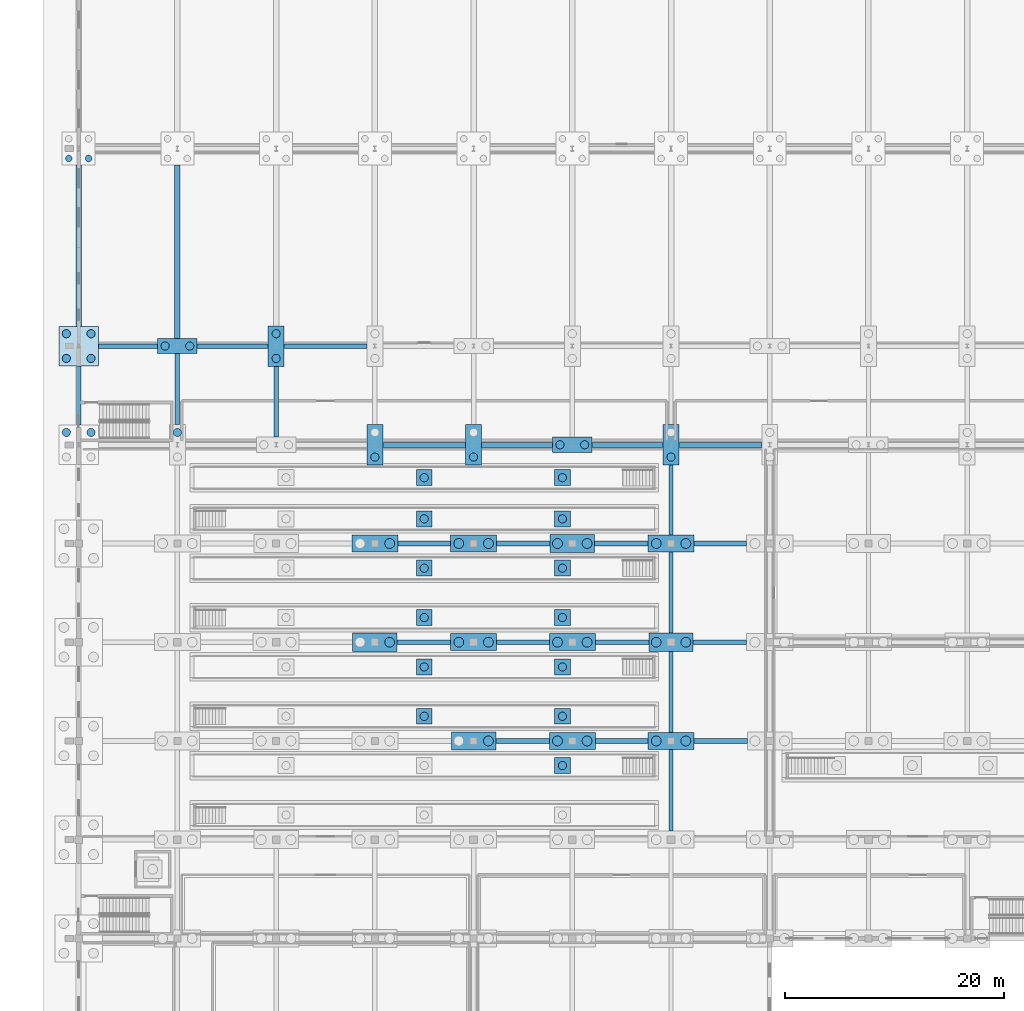
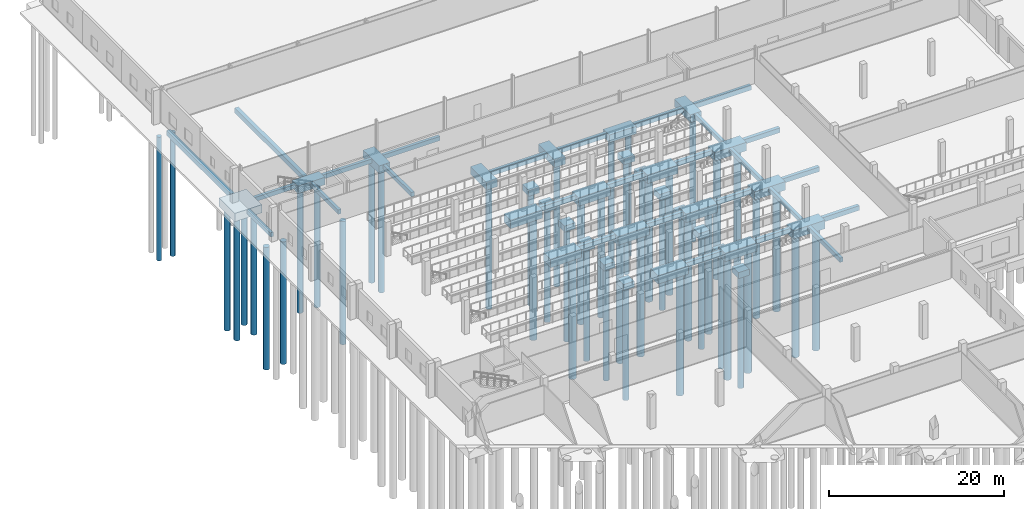
# One storey, part 7 of 112: 58 footings, 50 piles.
"""IFC4 building model written with IfcOpenShell, lengths in metres."""

from ifc_helpers import new_model, si_unit, direction, frame, origin, origin_2d, place, context, subcontext, project, spatial, polyline, rectangle, circle, outline, extrude, material, material_profile, profile_set, type_object, element, save


model = new_model("IFC4")

# Units and contexts
model_context = context("Model", 3, precision=1e-05, world=origin(), true_north=direction((0.0, 1.0)))
body_context = subcontext(model_context, "Body", "Model", "MODEL_VIEW")
ifc_project = project(units=[si_unit("LENGTHUNIT", "METRE"), si_unit("AREAUNIT", "SQUARE_METRE"), si_unit("VOLUMEUNIT", "CUBIC_METRE"), si_unit("PLANEANGLEUNIT", "RADIAN"), si_unit("MASSUNIT", "GRAM", prefix="KILO")], contexts=[model_context])

# Site, building, storey
site_placement = place(None, origin())
site = spatial("IfcSite", under=ifc_project, at=site_placement, CompositionType="ELEMENT")
building_placement = place(site_placement, origin())
building = spatial("IfcBuilding", under=site, at=building_placement, Name="Tharagai Park Tramway Depot", CompositionType="ELEMENT")
storey_placement = place(building_placement, origin())
storey = spatial("IfcBuildingStorey", under=building, at=storey_placement, Name="L00", CompositionType="ELEMENT", Elevation=0.0)

# Piles
ifc_material = material(Name="Concrete M40", Category="concrete")
ifc_material_profile_1 = material_profile(ifc_material, circle(Radius=0.449951171875, at=origin_2d()), Name="PILE D900")
ifc_profile_set_1 = profile_set([ifc_material_profile_1], Name="Concrete M40")
pile_type_1 = type_object("IfcPileType", Name="BP-01", PredefinedType="BORED", material=ifc_profile_set_1)
pile_1_placement = place(storey_placement, frame((28.35009765625, 72.0, -1.3798828125), z_axis=(0.0, 0.0, -1.0), x_axis=(1.0, 0.0, 0.0)))
element("IfcPile", 1, at=pile_1_placement, inside=storey, type_object=pile_type_1, Name="Bored Pile BP-01 (27,72) #2", PredefinedType="BORED", context=body_context, shape_type="SweptSolid", body=[
    extrude(circle(Radius=0.449951171875, at=origin_2d()), origin(), (0.0, 0.0, 1.0), 17.1201171875),
])
pile_2_placement = place(storey_placement, frame((28.35009765625, 81.0, -1.39990234375), z_axis=(0.0, 0.0, -1.0), x_axis=(1.0, 0.0, 0.0)))
element("IfcPile", 2, at=pile_2_placement, inside=storey, type_object=pile_type_1, Name="Bored Pile BP-01 (27,81) #2", PredefinedType="BORED", context=body_context, shape_type="SweptSolid", body=[
    extrude(circle(Radius=0.449951171875, at=origin_2d()), origin(), (0.0, 0.0, 1.0), 17.10009765625),
])
pile_3_placement = place(storey_placement, frame((37.35009765625, 63.0, -1.3798828125), z_axis=(0.0, 0.0, -1.0), x_axis=(1.0, 0.0, 0.0)))
element("IfcPile", 3, at=pile_3_placement, inside=storey, type_object=pile_type_1, Name="Bored Pile BP-01 (36,63) #2", PredefinedType="BORED", context=body_context, shape_type="SweptSolid", body=[
    extrude(circle(Radius=0.449951171875, at=origin_2d()), origin(), (0.0, 0.0, 1.0), 17.1201171875),
])
for number, where, z_axis, x_axis, name in (
    (4, (34.64990234375, 72.0, -1.39990234375), (0.0, 0.0, -1.0), (1.0, 0.0, 0.0), "Bored Pile BP-01 (36,72) #1"),
    (5, (37.35009765625, 72.0, -1.39990234375), (0.0, 0.0, -1.0), (1.0, 0.0, 0.0), "Bored Pile BP-01 (36,72) #2"),
    (6, (34.64990234375, 81.0, -1.39990234375), (0.0, 0.0, -1.0), (1.0, 0.0, 0.0), "Bored Pile BP-01 (36,81) #1"),
    (7, (37.35009765625, 81.0, -1.39990234375), (0.0, 0.0, -1.0), (1.0, 0.0, 0.0), "Bored Pile BP-01 (36,81) #2"),
    (8, (43.64990234375, 63.0, -1.39990234375), (0.0, 0.0, -1.0), (1.0, 0.0, 0.0), "Bored Pile BP-01 (45,63) #1"),
    (9, (46.35009765625, 63.0, -1.39990234375), (0.0, 0.0, -1.0), (1.0, 0.0, 0.0), "Bored Pile BP-01 (45,63) #2"),
    (10, (43.64990234375, 72.0, -1.39990234375), (0.0, 0.0, -1.0), (1.0, 0.0, 0.0), "Bored Pile BP-01 (45,72) #1"),
    (11, (46.35009765625, 72.0, -1.39990234375), (0.0, 0.0, -1.0), (1.0, 0.0, 0.0), "Bored Pile BP-01 (45,72) #2"),
):
    element("IfcPile", number, at=place(storey_placement, frame(where, z_axis=z_axis, x_axis=x_axis)), inside=storey, type_object=pile_type_1, Name=name, PredefinedType="BORED", context=body_context, shape_type="SweptSolid", body=[
        extrude(circle(Radius=0.449951171875, at=origin_2d()), origin(), (0.0, 0.0, 1.0), 17.10009765625),
    ])
for number, where, z_axis, x_axis, name in (
    (12, (43.64990234375, 81.0, -1.3798828125), (0.0, 0.0, -1.0), (1.0, 0.0, 0.0), "Bored Pile BP-01 (45,81) #1"),
    (13, (46.35009765625, 81.0, -1.3798828125), (0.0, 0.0, -1.0), (1.0, 0.0, 0.0), "Bored Pile BP-01 (45,81) #2"),
):
    element("IfcPile", number, at=place(storey_placement, frame(where, z_axis=z_axis, x_axis=x_axis)), inside=storey, type_object=pile_type_1, Name=name, PredefinedType="BORED", context=body_context, shape_type="SweptSolid", body=[
        extrude(circle(Radius=0.449951171875, at=origin_2d()), origin(), (0.0, 0.0, 1.0), 17.1201171875),
    ])
for number, where, z_axis, x_axis, name in (
    (14, (52.64990234375, 63.0, -1.39990234375), (0.0, 0.0, -1.0), (1.0, 0.0, 0.0), "Bored Pile BP-01 (54,63) #1"),
    (15, (55.35009765625, 63.0, -1.39990234375), (0.0, 0.0, -1.0), (1.0, 0.0, 0.0), "Bored Pile BP-01 (54,63) #2"),
):
    element("IfcPile", number, at=place(storey_placement, frame(where, z_axis=z_axis, x_axis=x_axis)), inside=storey, type_object=pile_type_1, Name=name, PredefinedType="BORED", context=body_context, shape_type="SweptSolid", body=[
        extrude(circle(Radius=0.449951171875, at=origin_2d()), origin(), (0.0, 0.0, 1.0), 17.10009765625),
    ])
for number, where, z_axis, x_axis, name in (
    (16, (52.64990234375, 72.0, -1.3798828125), (0.0, 0.0, -1.0), (1.0, 0.0, 0.0), "Bored Pile BP-01 (54,72) #1"),
    (17, (55.35009765625, 72.0, -1.3798828125), (0.0, 0.0, -1.0), (1.0, 0.0, 0.0), "Bored Pile BP-01 (54,72) #2"),
):
    element("IfcPile", number, at=place(storey_placement, frame(where, z_axis=z_axis, x_axis=x_axis)), inside=storey, type_object=pile_type_1, Name=name, PredefinedType="BORED", context=body_context, shape_type="SweptSolid", body=[
        extrude(circle(Radius=0.449951171875, at=origin_2d()), origin(), (0.0, 0.0, 1.0), 17.1201171875),
    ])
for number, where, z_axis, x_axis, name in (
    (18, (52.64990234375, 81.0, -1.39990234375), (0.0, 0.0, -1.0), (1.0, 0.0, 0.0), "Bored Pile BP-01 (54,81) #1"),
    (19, (55.35009765625, 81.0, -1.39990234375), (0.0, 0.0, -1.0), (1.0, 0.0, 0.0), "Bored Pile BP-01 (54,81) #2"),
):
    element("IfcPile", number, at=place(storey_placement, frame(where, z_axis=z_axis, x_axis=x_axis)), inside=storey, type_object=pile_type_1, Name=name, PredefinedType="BORED", context=body_context, shape_type="SweptSolid", body=[
        extrude(circle(Radius=0.449951171875, at=origin_2d()), origin(), (0.0, 0.0, 1.0), 17.10009765625),
    ])
ifc_material_profile_2 = material_profile(ifc_material, circle(Radius=0.375, at=origin_2d()), Name="PILE D750")
ifc_profile_set_2 = profile_set([ifc_material_profile_2], Name="Concrete M40")
pile_type_2 = type_object("IfcPileType", Name="BP-02", PredefinedType="BORED", material=ifc_profile_set_2)
for number, where, z_axis, x_axis, name in (
    (20, (-1.125, 91.125, -1.35009765625), (0.0, 0.0, -1.0), (1.0, 0.0, 0.0), "Bored Pile BP-02 (0,90) #3"),
    (21, (1.125, 91.125, -1.35009765625), (0.0, 0.0, -1.0), (1.0, 0.0, 0.0), "Bored Pile BP-02 (0,90) #4"),
    (22, (-1.125, 97.875, -1.35009765625), (0.0, 0.0, -1.0), (1.0, 0.0, 0.0), "Bored Pile BP-02 (0,99) #1"),
    (23, (1.125, 97.875, -1.35009765625), (0.0, 0.0, -1.0), (1.0, 0.0, 0.0), "Bored Pile BP-02 (0,99) #2"),
    (24, (-1.125, 100.125, -1.35009765625), (0.0, 0.0, -1.0), (1.0, 0.0, 0.0), "Bored Pile BP-02 (0,99) #3"),
    (25, (1.125, 100.125, -1.35009765625), (0.0, 0.0, -1.0), (1.0, 0.0, 0.0), "Bored Pile BP-02 (0,99) #4"),
):
    element("IfcPile", number, at=place(storey_placement, frame(where, z_axis=z_axis, x_axis=x_axis)), inside=storey, type_object=pile_type_2, Name=name, PredefinedType="BORED", context=body_context, shape_type="SweptSolid", body=[
        extrude(circle(Radius=0.375, at=origin_2d()), origin(), (0.0, 0.0, 1.0), 17.14990234375),
    ])
pile_4_placement = place(storey_placement, frame((9.0, 91.125, -1.280029296875), z_axis=(0.0, 0.0, -1.0), x_axis=(1.0, 0.0, 0.0)))
element("IfcPile", 26, at=pile_4_placement, inside=storey, type_object=pile_type_2, Name="Bored Pile BP-02 (9,90) #2", PredefinedType="BORED", context=body_context, shape_type="SweptSolid", body=[
    extrude(circle(Radius=0.375, at=origin_2d()), origin(), (0.0, 0.0, 1.0), 17.219970703125),
])
for number, where, z_axis, x_axis, name in (
    (27, (7.875, 99.0, -1.25), (0.0, 0.0, -1.0), (1.0, 0.0, 0.0), "Bored Pile BP-02 (9,99) #1"),
    (28, (10.125, 99.0, -1.25), (0.0, 0.0, -1.0), (1.0, 0.0, 0.0), "Bored Pile BP-02 (9,99) #2"),
):
    element("IfcPile", number, at=place(storey_placement, frame(where, z_axis=z_axis, x_axis=x_axis)), inside=storey, type_object=pile_type_2, Name=name, PredefinedType="BORED", context=body_context, shape_type="SweptSolid", body=[
        extrude(circle(Radius=0.375, at=origin_2d()), origin(), (0.0, 0.0, 1.0), 17.25),
    ])
for number, where, z_axis, x_axis, name in (
    (29, (18.0, 97.875, -1.280029296875), (0.0, 0.0, -1.0), (1.0, 0.0, 0.0), "Bored Pile BP-02 (18,99) #1"),
    (30, (18.0, 100.125, -1.280029296875), (0.0, 0.0, -1.0), (1.0, 0.0, 0.0), "Bored Pile BP-02 (18,99) #2"),
    (31, (27.0, 88.875, -1.280029296875), (0.0, 0.0, -1.0), (1.0, 0.0, 0.0), "Bored Pile BP-02 (27,90) #1"),
    (32, (36.0, 88.875, -1.280029296875), (0.0, 0.0, -1.0), (1.0, 0.0, 0.0), "Bored Pile BP-02 (36,90) #1"),
):
    element("IfcPile", number, at=place(storey_placement, frame(where, z_axis=z_axis, x_axis=x_axis)), inside=storey, type_object=pile_type_2, Name=name, PredefinedType="BORED", context=body_context, shape_type="SweptSolid", body=[
        extrude(circle(Radius=0.375, at=origin_2d()), origin(), (0.0, 0.0, 1.0), 17.219970703125),
    ])
for number, where, z_axis, x_axis, name in (
    (33, (43.875, 90.0, -1.25), (0.0, 0.0, -1.0), (1.0, 0.0, 0.0), "Bored Pile BP-02 (45,90) #1"),
    (34, (46.125, 90.0, -1.25), (0.0, 0.0, -1.0), (1.0, 0.0, 0.0), "Bored Pile BP-02 (45,90) #2"),
):
    element("IfcPile", number, at=place(storey_placement, frame(where, z_axis=z_axis, x_axis=x_axis)), inside=storey, type_object=pile_type_2, Name=name, PredefinedType="BORED", context=body_context, shape_type="SweptSolid", body=[
        extrude(circle(Radius=0.375, at=origin_2d()), origin(), (0.0, 0.0, 1.0), 17.25),
    ])
pile_5_placement = place(storey_placement, frame((54.0, 88.875, -1.280029296875), z_axis=(0.0, 0.0, -1.0), x_axis=(1.0, 0.0, 0.0)))
element("IfcPile", 35, at=pile_5_placement, inside=storey, type_object=pile_type_2, Name="Bored Pile BP-02 (54,90) #1", PredefinedType="BORED", context=body_context, shape_type="SweptSolid", body=[
    extrude(circle(Radius=0.375, at=origin_2d()), origin(), (0.0, 0.0, 1.0), 17.219970703125),
])
for number, where, z_axis, x_axis, name in (
    (36, (44.10009765625, 60.75, -2.60009765625), (0.0, 0.0, -1.0), (1.0, 0.0, 0.0), "Inspection Pit Track 2 Bored Pile 3"),
    (37, (31.5, 65.25, -2.60009765625), (0.0, 0.0, -1.0), (1.0, 0.0, 0.0), "Inspection Pit Track 3 Bored Pile 2"),
    (38, (44.10009765625, 65.25, -2.60009765625), (0.0, 0.0, -1.0), (1.0, 0.0, 0.0), "Inspection Pit Track 3 Bored Pile 3"),
    (39, (31.5, 69.75, -2.60009765625), (0.0, 0.0, -1.0), (1.0, 0.0, 0.0), "Inspection Pit Track 4 Bored Pile 2"),
    (40, (44.10009765625, 69.75, -2.60009765625), (0.0, 0.0, -1.0), (1.0, 0.0, 0.0), "Inspection Pit Track 4 Bored Pile 3"),
    (41, (31.5, 74.25, -2.60009765625), (0.0, 0.0, -1.0), (1.0, 0.0, 0.0), "Inspection Pit Track 5 Bored Pile 2"),
    (42, (44.10009765625, 74.25, -2.60009765625), (0.0, 0.0, -1.0), (1.0, 0.0, 0.0), "Inspection Pit Track 5 Bored Pile 3"),
    (43, (31.5, 78.75, -2.60009765625), (0.0, 0.0, -1.0), (1.0, 0.0, 0.0), "Inspection Pit Track 6 Bored Pile 2"),
    (44, (44.10009765625, 78.75, -2.60009765625), (0.0, 0.0, -1.0), (1.0, 0.0, 0.0), "Inspection Pit Track 6 Bored Pile 3"),
    (45, (31.5, 83.25, -2.60009765625), (0.0, 0.0, -1.0), (1.0, 0.0, 0.0), "Inspection Pit Track 7 Bored Pile 2"),
    (46, (44.10009765625, 83.25, -2.60009765625), (0.0, 0.0, -1.0), (1.0, 0.0, 0.0), "Inspection Pit Track 7 Bored Pile 3"),
    (47, (31.5, 87.0, -2.60009765625), (0.0, 0.0, -1.0), (1.0, 0.0, 0.0), "Inspection Pit Track 8 Bored Pile 2"),
    (48, (44.10009765625, 87.0, -2.60009765625), (0.0, 0.0, -1.0), (1.0, 0.0, 0.0), "Inspection Pit Track 8 Bored Pile 3"),
):
    element("IfcPile", number, at=place(storey_placement, frame(where, z_axis=z_axis, x_axis=x_axis)), inside=storey, type_object=pile_type_2, Name=name, PredefinedType="BORED", context=body_context, shape_type="SweptSolid", body=[
        extrude(circle(Radius=0.375, at=origin_2d()), origin(), (0.0, 0.0, 1.0), 15.89990234375),
    ])
ifc_material_profile_3 = material_profile(ifc_material, circle(Radius=0.300048828125, at=origin_2d()), Name="PILE D600")
ifc_profile_set_3 = profile_set([ifc_material_profile_3], Name="Concrete M40")
pile_type_3 = type_object("IfcPileType", Name="BP-03", PredefinedType="BORED", material=ifc_profile_set_3)
for number, where, z_axis, x_axis, name in (
    (49, (-0.89990234375, 116.10009765625, -1.199951171875), (0.0, 0.0, -1.0), (1.0, 0.0, 0.0), "Bored Pile BP-03 (0,117) #1"),
    (50, (0.89990234375, 116.10009765625, -1.199951171875), (0.0, 0.0, -1.0), (1.0, 0.0, 0.0), "Bored Pile BP-03 (0,117) #2"),
):
    element("IfcPile", number, at=place(storey_placement, frame(where, z_axis=z_axis, x_axis=x_axis)), inside=storey, type_object=pile_type_3, Name=name, PredefinedType="BORED", context=body_context, shape_type="SweptSolid", body=[
        extrude(circle(Radius=0.300048828125, at=origin_2d()), origin(), (0.0, 0.0, 1.0), 17.300048828125),
    ])

# Footings
footing_type_1 = type_object("IfcFootingType", Name="GB-01", PredefinedType="FOOTING_BEAM", material=ifc_material)
footing_1_placement = place(storey_placement, frame((0.0, 0.0, -0.949951171875)))
element("IfcFooting", 51, at=footing_1_placement, inside=storey, type_object=footing_type_1, Name="Ground Tie Beam GB-01", PredefinedType="FOOTING_BEAM", context=body_context, shape_type="SweptSolid", body=[
    extrude(outline(polyline([(38.02490234375, 62.77490234375), (42.89990234375, 62.77490234375), (42.89990234375, 63.22509765625), (38.02490234375, 63.22509765625), (38.02490234375, 62.77490234375)])), origin(), (0.0, 0.0, 1.0), 0.64990234375),
])
footing_2_placement = place(storey_placement, frame((0.0, 0.0, -0.949951171875)))
element("IfcFooting", 52, at=footing_2_placement, inside=storey, type_object=footing_type_1, Name="Ground Tie Beam GB-01", PredefinedType="FOOTING_BEAM", context=body_context, shape_type="SweptSolid", body=[
    extrude(outline(polyline([(47.10009765625, 62.77490234375), (51.89990234375, 62.77490234375), (51.89990234375, 63.22509765625), (47.10009765625, 63.22509765625), (47.10009765625, 62.77490234375)])), origin(), (0.0, 0.0, 1.0), 0.64990234375),
])
footing_3_placement = place(storey_placement, frame((0.0, 0.0, -0.949951171875)))
element("IfcFooting", 53, at=footing_3_placement, inside=storey, type_object=footing_type_1, Name="Ground Tie Beam GB-01", PredefinedType="FOOTING_BEAM", context=body_context, shape_type="SweptSolid", body=[
    extrude(outline(polyline([(56.10009765625, 62.77490234375), (60.97509765625, 62.77490234375), (60.97509765625, 63.22509765625), (56.10009765625, 63.22509765625), (56.10009765625, 62.77490234375)])), origin(), (0.0, 0.0, 1.0), 0.64990234375),
])
footing_4_placement = place(storey_placement, frame((0.0, 0.0, -0.949951171875)))
element("IfcFooting", 54, at=footing_4_placement, inside=storey, type_object=footing_type_1, Name="Ground Tie Beam GB-01", PredefinedType="FOOTING_BEAM", context=body_context, shape_type="SweptSolid", body=[
    extrude(outline(polyline([(29.02490234375, 71.77490234375), (33.89990234375, 71.77490234375), (33.89990234375, 72.22509765625), (29.02490234375, 72.22509765625), (29.02490234375, 71.77490234375)])), origin(), (0.0, 0.0, 1.0), 0.64990234375),
])
footing_5_placement = place(storey_placement, frame((0.0, 0.0, -0.949951171875)))
element("IfcFooting", 55, at=footing_5_placement, inside=storey, type_object=footing_type_1, Name="Ground Tie Beam GB-01", PredefinedType="FOOTING_BEAM", context=body_context, shape_type="SweptSolid", body=[
    extrude(outline(polyline([(38.10009765625, 71.77490234375), (42.89990234375, 71.77490234375), (42.89990234375, 72.22509765625), (38.10009765625, 72.22509765625), (38.10009765625, 71.77490234375)])), origin(), (0.0, 0.0, 1.0), 0.64990234375),
])
footing_6_placement = place(storey_placement, frame((0.0, 0.0, -0.949951171875)))
element("IfcFooting", 56, at=footing_6_placement, inside=storey, type_object=footing_type_1, Name="Ground Tie Beam GB-01", PredefinedType="FOOTING_BEAM", context=body_context, shape_type="SweptSolid", body=[
    extrude(outline(polyline([(47.10009765625, 71.77490234375), (51.97509765625, 71.77490234375), (51.97509765625, 72.22509765625), (47.10009765625, 72.22509765625), (47.10009765625, 71.77490234375)])), origin(), (0.0, 0.0, 1.0), 0.64990234375),
])
footing_7_placement = place(storey_placement, frame((0.0, 0.0, -0.949951171875)))
element("IfcFooting", 57, at=footing_7_placement, inside=storey, type_object=footing_type_1, Name="Ground Tie Beam GB-01", PredefinedType="FOOTING_BEAM", context=body_context, shape_type="SweptSolid", body=[
    extrude(outline(polyline([(56.02490234375, 71.77490234375), (60.89990234375, 71.77490234375), (60.89990234375, 72.22509765625), (56.02490234375, 72.22509765625), (56.02490234375, 71.77490234375)])), origin(), (0.0, 0.0, 1.0), 0.64990234375),
])
footing_8_placement = place(storey_placement, frame((0.0, 0.0, -0.949951171875)))
element("IfcFooting", 58, at=footing_8_placement, inside=storey, type_object=footing_type_1, Name="Ground Tie Beam GB-01", PredefinedType="FOOTING_BEAM", context=body_context, shape_type="SweptSolid", body=[
    extrude(outline(polyline([(29.10009765625, 80.77490234375), (33.89990234375, 80.77490234375), (33.89990234375, 81.22509765625), (29.10009765625, 81.22509765625), (29.10009765625, 80.77490234375)])), origin(), (0.0, 0.0, 1.0), 0.64990234375),
])
footing_9_placement = place(storey_placement, frame((0.0, 0.0, -0.949951171875)))
element("IfcFooting", 59, at=footing_9_placement, inside=storey, type_object=footing_type_1, Name="Ground Tie Beam GB-01", PredefinedType="FOOTING_BEAM", context=body_context, shape_type="SweptSolid", body=[
    extrude(outline(polyline([(38.10009765625, 80.77490234375), (42.97509765625, 80.77490234375), (42.97509765625, 81.22509765625), (38.10009765625, 81.22509765625), (38.10009765625, 80.77490234375)])), origin(), (0.0, 0.0, 1.0), 0.64990234375),
])
footing_10_placement = place(storey_placement, frame((0.0, 0.0, -0.949951171875)))
element("IfcFooting", 60, at=footing_10_placement, inside=storey, type_object=footing_type_1, Name="Ground Tie Beam GB-01", PredefinedType="FOOTING_BEAM", context=body_context, shape_type="SweptSolid", body=[
    extrude(outline(polyline([(47.02490234375, 80.77490234375), (51.89990234375, 80.77490234375), (51.89990234375, 81.22509765625), (47.02490234375, 81.22509765625), (47.02490234375, 80.77490234375)])), origin(), (0.0, 0.0, 1.0), 0.64990234375),
])
footing_11_placement = place(storey_placement, frame((0.0, 0.0, -0.949951171875)))
element("IfcFooting", 61, at=footing_11_placement, inside=storey, type_object=footing_type_1, Name="Ground Tie Beam GB-01", PredefinedType="FOOTING_BEAM", context=body_context, shape_type="SweptSolid", body=[
    extrude(outline(polyline([(56.10009765625, 80.77490234375), (60.89990234375, 80.77490234375), (60.89990234375, 81.22509765625), (56.10009765625, 81.22509765625), (56.10009765625, 80.77490234375)])), origin(), (0.0, 0.0, 1.0), 0.64990234375),
])
footing_12_placement = place(storey_placement, frame((0.0, 0.0, -0.949951171875)))
element("IfcFooting", 62, at=footing_12_placement, inside=storey, type_object=footing_type_1, Name="Ground Tie Beam GB-01", PredefinedType="FOOTING_BEAM", context=body_context, shape_type="SweptSolid", body=[
    extrude(outline(polyline([(27.72509765625, 89.77490234375), (35.27490234375, 89.77490234375), (35.27490234375, 90.22509765625), (27.72509765625, 90.22509765625), (27.72509765625, 89.77490234375)])), origin(), (0.0, 0.0, 1.0), 0.64990234375),
])
footing_13_placement = place(storey_placement, frame((0.0, 0.0, -0.949951171875)))
element("IfcFooting", 63, at=footing_13_placement, inside=storey, type_object=footing_type_1, Name="Ground Tie Beam GB-01", PredefinedType="FOOTING_BEAM", context=body_context, shape_type="SweptSolid", body=[
    extrude(outline(polyline([(36.72509765625, 89.77490234375), (43.199951171875, 89.77490234375), (43.199951171875, 90.22509765625), (36.72509765625, 90.22509765625), (36.72509765625, 89.77490234375)])), origin(), (0.0, 0.0, 1.0), 0.64990234375),
])
footing_14_placement = place(storey_placement, frame((0.0, 0.0, -0.949951171875)))
element("IfcFooting", 64, at=footing_14_placement, inside=storey, type_object=footing_type_1, Name="Ground Tie Beam GB-01", PredefinedType="FOOTING_BEAM", context=body_context, shape_type="SweptSolid", body=[
    extrude(outline(polyline([(46.800048828125, 89.77490234375), (53.27490234375, 89.77490234375), (53.27490234375, 90.22509765625), (46.800048828125, 90.22509765625), (46.800048828125, 89.77490234375)])), origin(), (0.0, 0.0, 1.0), 0.64990234375),
])
footing_15_placement = place(storey_placement, frame((0.0, 0.0, -0.949951171875)))
element("IfcFooting", 65, at=footing_15_placement, inside=storey, type_object=footing_type_1, Name="Ground Tie Beam GB-01", PredefinedType="FOOTING_BEAM", context=body_context, shape_type="SweptSolid", body=[
    extrude(outline(polyline([(54.72509765625, 89.77490234375), (62.27490234375, 89.77490234375), (62.27490234375, 90.22509765625), (54.72509765625, 90.22509765625), (54.72509765625, 89.77490234375)])), origin(), (0.0, 0.0, 1.0), 0.64990234375),
])
footing_type_2 = type_object("IfcFootingType", Name="GB-02", PredefinedType="FOOTING_BEAM", material=ifc_material)
footing_16_placement = place(storey_placement, frame((0.0, 0.0, -1.0)))
element("IfcFooting", 66, at=footing_16_placement, inside=storey, type_object=footing_type_2, Name="Ground Tie Beam GB-02", PredefinedType="FOOTING_BEAM", context=body_context, shape_type="SweptSolid", body=[
    extrude(outline(polyline([(-0.25, 100.800048828125), (0.25, 100.800048828125), (0.25, 115.5), (-0.25, 115.5), (-0.25, 100.800048828125)])), origin(), (0.0, 0.0, 1.0), 0.699951171875),
])
footing_17_placement = place(storey_placement, frame((0.0, 0.0, -1.0)))
element("IfcFooting", 67, at=footing_17_placement, inside=storey, type_object=footing_type_2, Name="Ground Tie Beam GB-02", PredefinedType="FOOTING_BEAM", context=body_context, shape_type="SweptSolid", body=[
    extrude(outline(polyline([(8.75, 99.699951171875), (9.25, 99.699951171875), (9.25, 115.5), (8.75, 115.5), (8.75, 99.699951171875)])), origin(), (0.0, 0.0, 1.0), 0.699951171875),
])
footing_type_3 = type_object("IfcFootingType", Name="GB-04", PredefinedType="FOOTING_BEAM", material=ifc_material)
footing_18_placement = place(storey_placement, frame((0.0, 0.0, -0.89990234375)))
element("IfcFooting", 68, at=footing_18_placement, inside=storey, type_object=footing_type_3, Name="Ground Tie Beam GB-04", PredefinedType="FOOTING_BEAM", context=body_context, shape_type="SweptSolid", body=[
    extrude(outline(polyline([(1.800048828125, 98.800048828125), (7.199951171875, 98.800048828125), (7.199951171875, 99.199951171875), (1.800048828125, 99.199951171875), (1.800048828125, 98.800048828125)])), origin(), (0.0, 0.0, 1.0), 0.599853515625),
])
footing_19_placement = place(storey_placement, frame((0.0, 0.0, -0.89990234375)))
element("IfcFooting", 69, at=footing_19_placement, inside=storey, type_object=footing_type_3, Name="Ground Tie Beam GB-04", PredefinedType="FOOTING_BEAM", context=body_context, shape_type="SweptSolid", body=[
    extrude(outline(polyline([(10.800048828125, 98.800048828125), (17.27490234375, 98.800048828125), (17.27490234375, 99.199951171875), (10.800048828125, 99.199951171875), (10.800048828125, 98.800048828125)])), origin(), (0.0, 0.0, 1.0), 0.599853515625),
])
footing_20_placement = place(storey_placement, frame((0.0, 0.0, -0.89990234375)))
element("IfcFooting", 70, at=footing_20_placement, inside=storey, type_object=footing_type_3, Name="Ground Tie Beam GB-04", PredefinedType="FOOTING_BEAM", context=body_context, shape_type="SweptSolid", body=[
    extrude(outline(polyline([(18.72509765625, 98.800048828125), (26.27490234375, 98.800048828125), (26.27490234375, 99.199951171875), (18.72509765625, 99.199951171875), (18.72509765625, 98.800048828125)])), origin(), (0.0, 0.0, 1.0), 0.599853515625),
])
footing_21_placement = place(storey_placement, frame((0.0, 0.0, -0.89990234375)))
element("IfcFooting", 71, at=footing_21_placement, inside=storey, type_object=footing_type_3, Name="Ground Tie Beam GB-04", PredefinedType="FOOTING_BEAM", context=body_context, shape_type="SweptSolid", body=[
    extrude(outline(polyline([(-0.199951171875, 91.800048828125), (0.199951171875, 91.800048828125), (0.199951171875, 97.199951171875), (-0.199951171875, 97.199951171875), (-0.199951171875, 91.800048828125)])), origin(), (0.0, 0.0, 1.0), 0.599853515625),
])
footing_22_placement = place(storey_placement, frame((0.0, 0.0, -0.89990234375)))
element("IfcFooting", 72, at=footing_22_placement, inside=storey, type_object=footing_type_3, Name="Ground Tie Beam GB-04", PredefinedType="FOOTING_BEAM", context=body_context, shape_type="SweptSolid", body=[
    extrude(outline(polyline([(8.800048828125, 91.85009765625), (9.199951171875, 91.85009765625), (9.199951171875, 98.300048828125), (8.800048828125, 98.300048828125), (8.800048828125, 91.85009765625)])), origin(), (0.0, 0.0, 1.0), 0.599853515625),
])
footing_23_placement = place(storey_placement, frame((0.0, 0.0, -0.89990234375)))
element("IfcFooting", 73, at=footing_23_placement, inside=storey, type_object=footing_type_3, Name="Ground Tie Beam GB-04", PredefinedType="FOOTING_BEAM", context=body_context, shape_type="SweptSolid", body=[
    extrude(outline(polyline([(17.800048828125, 90.699951171875), (18.199951171875, 90.699951171875), (18.199951171875, 97.14990234375), (17.800048828125, 97.14990234375), (17.800048828125, 90.699951171875)])), origin(), (0.0, 0.0, 1.0), 0.599853515625),
])
footing_24_placement = place(storey_placement, frame((0.0, 0.0, -0.89990234375)))
element("IfcFooting", 74, at=footing_24_placement, inside=storey, type_object=footing_type_3, Name="Ground Tie Beam GB-04", PredefinedType="FOOTING_BEAM", context=body_context, shape_type="SweptSolid", body=[
    extrude(outline(polyline([(53.800048828125, 54.77490234375), (54.199951171875, 54.77490234375), (54.199951171875, 62.22509765625), (53.800048828125, 62.22509765625), (53.800048828125, 54.77490234375)])), origin(), (0.0, 0.0, 1.0), 0.599853515625),
])
footing_25_placement = place(storey_placement, frame((0.0, 0.0, -0.89990234375)))
element("IfcFooting", 75, at=footing_25_placement, inside=storey, type_object=footing_type_3, Name="Ground Tie Beam GB-04", PredefinedType="FOOTING_BEAM", context=body_context, shape_type="SweptSolid", body=[
    extrude(outline(polyline([(53.800048828125, 63.77490234375), (54.199951171875, 63.77490234375), (54.199951171875, 71.175048828125), (53.800048828125, 71.175048828125), (53.800048828125, 63.77490234375)])), origin(), (0.0, 0.0, 1.0), 0.599853515625),
])
footing_26_placement = place(storey_placement, frame((0.0, 0.0, -0.89990234375)))
element("IfcFooting", 76, at=footing_26_placement, inside=storey, type_object=footing_type_3, Name="Ground Tie Beam GB-04", PredefinedType="FOOTING_BEAM", context=body_context, shape_type="SweptSolid", body=[
    extrude(outline(polyline([(53.800048828125, 72.824951171875), (54.199951171875, 72.824951171875), (54.199951171875, 80.22509765625), (53.800048828125, 80.22509765625), (53.800048828125, 72.824951171875)])), origin(), (0.0, 0.0, 1.0), 0.599853515625),
])
footing_27_placement = place(storey_placement, frame((0.0, 0.0, -0.89990234375)))
element("IfcFooting", 77, at=footing_27_placement, inside=storey, type_object=footing_type_3, Name="Ground Tie Beam GB-04", PredefinedType="FOOTING_BEAM", context=body_context, shape_type="SweptSolid", body=[
    extrude(outline(polyline([(53.800048828125, 81.77490234375), (54.199951171875, 81.77490234375), (54.199951171875, 88.14990234375), (53.800048828125, 88.14990234375), (53.800048828125, 81.77490234375)])), origin(), (0.0, 0.0, 1.0), 0.599853515625),
])
footing_type_4 = type_object("IfcFootingType", Name="PC-03", PredefinedType="PILE_CAP", material=ifc_material)
footing_28_placement = place(storey_placement, frame((0.0, 99.0, -1.449951171875), z_axis=(0.0, 0.0, 1.0), x_axis=(1.0, 0.0, 0.0)))
element("IfcFooting", 78, at=footing_28_placement, inside=storey, type_object=footing_type_4, Name="Pile Cap PC-03 (0,99)", PredefinedType="PILE_CAP", context=body_context, shape_type="SweptSolid", body=[
    extrude(rectangle(XDim=3.60009765625, YDim=3.60009765625, at=origin_2d()), origin(), (0.0, 0.0, 1.0), 1.14990234375),
])
footing_type_5 = type_object("IfcFootingType", Name="PC-10", PredefinedType="PILE_CAP", material=ifc_material)
for number, where, z_axis, x_axis, name in (
    (79, (44.10009765625, 60.75, -2.699951171875), (0.0, 0.0, 1.0), (1.0, 0.0, 0.0), "Inspection Pit Track 2 Pile Cap 3"),
    (80, (31.5, 65.25, -2.699951171875), (0.0, 0.0, 1.0), (1.0, 0.0, 0.0), "Inspection Pit Track 3 Pile Cap 2"),
    (81, (44.10009765625, 65.25, -2.699951171875), (0.0, 0.0, 1.0), (1.0, 0.0, 0.0), "Inspection Pit Track 3 Pile Cap 3"),
    (82, (31.5, 69.75, -2.699951171875), (0.0, 0.0, 1.0), (1.0, 0.0, 0.0), "Inspection Pit Track 4 Pile Cap 2"),
    (83, (44.10009765625, 69.75, -2.699951171875), (0.0, 0.0, 1.0), (1.0, 0.0, 0.0), "Inspection Pit Track 4 Pile Cap 3"),
    (84, (31.5, 74.25, -2.699951171875), (0.0, 0.0, 1.0), (1.0, 0.0, 0.0), "Inspection Pit Track 5 Pile Cap 2"),
    (85, (44.10009765625, 74.25, -2.699951171875), (0.0, 0.0, 1.0), (1.0, 0.0, 0.0), "Inspection Pit Track 5 Pile Cap 3"),
    (86, (31.5, 78.75, -2.699951171875), (0.0, 0.0, 1.0), (1.0, 0.0, 0.0), "Inspection Pit Track 6 Pile Cap 2"),
    (87, (44.10009765625, 78.75, -2.699951171875), (0.0, 0.0, 1.0), (1.0, 0.0, 0.0), "Inspection Pit Track 6 Pile Cap 3"),
    (88, (31.5, 83.25, -2.699951171875), (0.0, 0.0, 1.0), (1.0, 0.0, 0.0), "Inspection Pit Track 7 Pile Cap 2"),
    (89, (44.10009765625, 83.25, -2.699951171875), (0.0, 0.0, 1.0), (1.0, 0.0, 0.0), "Inspection Pit Track 7 Pile Cap 3"),
    (90, (31.5, 87.0, -2.699951171875), (0.0, 0.0, 1.0), (1.0, 0.0, 0.0), "Inspection Pit Track 8 Pile Cap 2"),
    (91, (44.10009765625, 87.0, -2.699951171875), (0.0, 0.0, 1.0), (1.0, 0.0, 0.0), "Inspection Pit Track 8 Pile Cap 3"),
):
    element("IfcFooting", number, at=place(storey_placement, frame(where, z_axis=z_axis, x_axis=x_axis)), inside=storey, type_object=footing_type_5, Name=name, PredefinedType="PILE_CAP", context=body_context, shape_type="SweptSolid", body=[
        extrude(rectangle(XDim=1.449951171875, YDim=1.449951171875, at=origin_2d()), origin(), (0.0, 0.0, 1.0), 0.85009765625),
    ])
footing_type_6 = type_object("IfcFootingType", Name="PC-11", PredefinedType="PILE_CAP", material=ifc_material)
for number, where, z_axis, x_axis, name in (
    (92, (9.0, 99.0, -1.35009765625), (0.0, 0.0, 1.0), (1.0, 0.0, 0.0), "Pile Cap PC-11 (9,99)"),
    (93, (45.0, 90.0, -1.35009765625), (0.0, 0.0, 1.0), (1.0, 0.0, 0.0), "Pile Cap PC-11 (45,90)"),
):
    element("IfcFooting", number, at=place(storey_placement, frame(where, z_axis=z_axis, x_axis=x_axis)), inside=storey, type_object=footing_type_6, Name=name, PredefinedType="PILE_CAP", context=body_context, shape_type="SweptSolid", body=[
        extrude(rectangle(XDim=3.60009765625, YDim=1.39990234375, at=origin_2d()), origin(), (0.0, 0.0, 1.0), 1.050048828125),
    ])
footing_type_7 = type_object("IfcFootingType", Name="PC-13", PredefinedType="PILE_CAP", material=ifc_material)
for number, where, z_axis, x_axis, name in (
    (94, (27.0, 72.0, -1.47998046875), (0.0, 0.0, 1.0), (1.0, 0.0, 0.0), "Pile Cap PC-13 (27,72)"),
    (95, (36.0, 63.0, -1.47998046875), (0.0, 0.0, 1.0), (1.0, 0.0, 0.0), "Pile Cap PC-13 (36,63)"),
    (96, (45.0, 81.0, -1.47998046875), (0.0, 0.0, 1.0), (1.0, 0.0, 0.0), "Pile Cap PC-13 (45,81)"),
    (97, (54.0, 72.0, -1.47998046875), (0.0, 0.0, 1.0), (1.0, 0.0, 0.0), "Pile Cap PC-13 (54,72)"),
):
    element("IfcFooting", number, at=place(storey_placement, frame(where, z_axis=z_axis, x_axis=x_axis)), inside=storey, type_object=footing_type_7, Name=name, PredefinedType="PILE_CAP", context=body_context, shape_type="SweptSolid", body=[
        extrude(rectangle(XDim=4.050048828125, YDim=1.64990234375, at=origin_2d()), origin(), (0.0, 0.0, 1.0), 1.179931640625),
    ])
footing_type_8 = type_object("IfcFootingType", Name="PC-14", PredefinedType="PILE_CAP", material=ifc_material)
for number, where, z_axis, x_axis, name in (
    (98, (18.0, 99.0, -1.380126953125), (0.0, 0.0, 1.0), (1.0, 0.0, 0.0), "Pile Cap PC-14 (18,99)"),
    (99, (27.0, 90.0, -1.380126953125), (0.0, 0.0, 1.0), (1.0, 0.0, 0.0), "Pile Cap PC-14 (27,90)"),
    (100, (36.0, 90.0, -1.380126953125), (0.0, 0.0, 1.0), (1.0, 0.0, 0.0), "Pile Cap PC-14 (36,90)"),
    (101, (54.0, 90.0, -1.380126953125), (0.0, 0.0, 1.0), (1.0, 0.0, 0.0), "Pile Cap PC-14 (54,90)"),
):
    element("IfcFooting", number, at=place(storey_placement, frame(where, z_axis=z_axis, x_axis=x_axis)), inside=storey, type_object=footing_type_8, Name=name, PredefinedType="PILE_CAP", context=body_context, shape_type="SweptSolid", body=[
        extrude(rectangle(XDim=1.449951171875, YDim=3.699951171875, at=origin_2d()), origin(), (0.0, 0.0, 1.0), 1.080078125),
    ])
footing_type_9 = type_object("IfcFootingType", Name="PC-15", PredefinedType="PILE_CAP", material=ifc_material)
for number, where, z_axis, x_axis, name in (
    (102, (27.0, 81.0, -1.5), (0.0, 0.0, 1.0), (1.0, 0.0, 0.0), "Pile Cap PC-15 (27,81)"),
    (103, (36.0, 72.0, -1.5), (0.0, 0.0, 1.0), (1.0, 0.0, 0.0), "Pile Cap PC-15 (36,72)"),
    (104, (36.0, 81.0, -1.5), (0.0, 0.0, 1.0), (1.0, 0.0, 0.0), "Pile Cap PC-15 (36,81)"),
    (105, (45.0, 63.0, -1.5), (0.0, 0.0, 1.0), (1.0, 0.0, 0.0), "Pile Cap PC-15 (45,63)"),
    (106, (45.0, 72.0, -1.5), (0.0, 0.0, 1.0), (1.0, 0.0, 0.0), "Pile Cap PC-15 (45,72)"),
    (107, (54.0, 63.0, -1.5), (0.0, 0.0, 1.0), (1.0, 0.0, 0.0), "Pile Cap PC-15 (54,63)"),
    (108, (54.0, 81.0, -1.5), (0.0, 0.0, 1.0), (1.0, 0.0, 0.0), "Pile Cap PC-15 (54,81)"),
):
    element("IfcFooting", number, at=place(storey_placement, frame(where, z_axis=z_axis, x_axis=x_axis)), inside=storey, type_object=footing_type_9, Name=name, PredefinedType="PILE_CAP", context=body_context, shape_type="SweptSolid", body=[
        extrude(rectangle(XDim=4.199951171875, YDim=1.550048828125, at=origin_2d()), origin(), (0.0, 0.0, 1.0), 1.199951171875),
    ])

save(model, "model.ifc")
